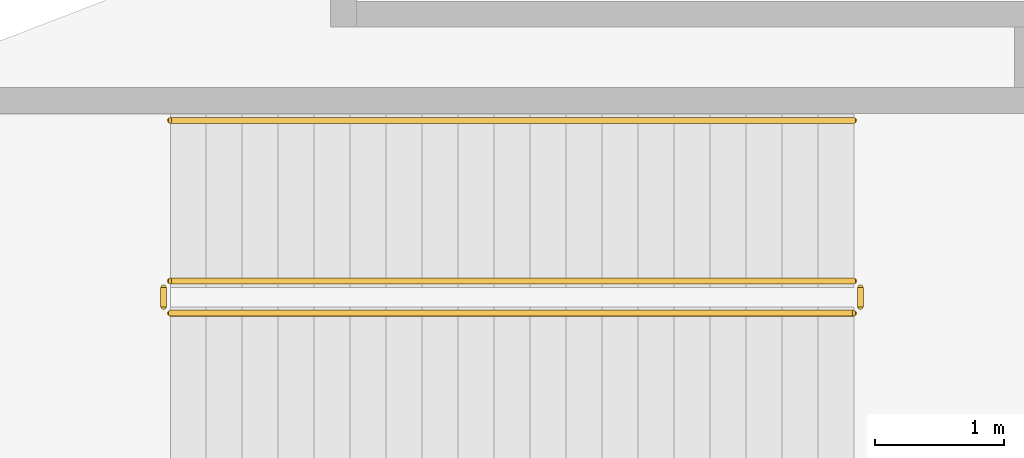
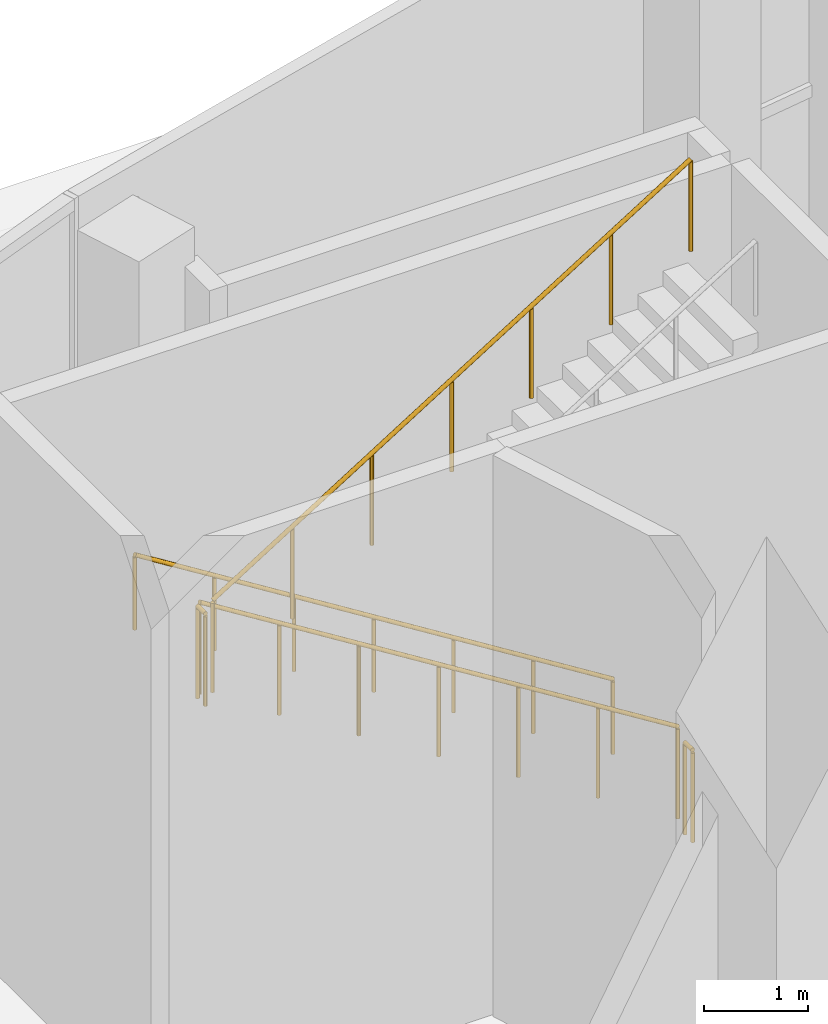
# One storey, part 54 of 60: 5 railings.
"""IFC4 building model written with IfcOpenShell, lengths in metres."""

from ifc_helpers import new_model, si_unit, direction, frame, origin, origin_2d, place, context, subcontext, project, spatial, circle, extrude, material, type_object, element, save


model = new_model("IFC4")

# Units and contexts
model_context = context("Model", 3, precision=1e-05, world=origin(), true_north=direction((0.0, 1.0)))
body_context = subcontext(model_context, "Body", "Model", "MODEL_VIEW")
ifc_project = project(units=[si_unit("LENGTHUNIT", "METRE"), si_unit("AREAUNIT", "SQUARE_METRE"), si_unit("VOLUMEUNIT", "CUBIC_METRE"), si_unit("PLANEANGLEUNIT", "RADIAN"), si_unit("MASSUNIT", "GRAM", prefix="KILO")], contexts=[model_context])

# Site, building, storey
site_placement = place(None, origin())
site = spatial("IfcSite", under=ifc_project, at=site_placement, CompositionType="ELEMENT")
building_placement = place(site_placement, origin())
building = spatial("IfcBuilding", under=site, at=building_placement, Name="Stone Belt Terrace Tower", CompositionType="ELEMENT")
storey_placement = place(building_placement, origin())
storey = spatial("IfcBuildingStorey", under=building, at=storey_placement, Name="L00", CompositionType="ELEMENT", Elevation=0.0)

# Railings
ifc_material_1 = material(Name="Steel balustrade", Category="steel")
railing_type_1 = type_object("IfcRailingType", Name="Podium stair guard", PredefinedType="GUARDRAIL", material=ifc_material_1)
railing_1_placement = place(storey_placement, frame((-18.340087890625, 67.375, 0.175048828125)))
element("IfcRailing", 1, at=railing_1_placement, inside=storey, type_object=railing_type_1, Name="L00 PS7 stair guard 1", PredefinedType="GUARDRAIL", context=body_context, shape_type="SweptSolid", body=[
    extrude(circle(Radius=0.02392578125, at=origin_2d()), frame((0.0, 0.0, 1.076171875), z_axis=(-0.847993931318, 0.0, 0.530005936238), x_axis=(0.0, -1.0, 0.0)), (0.0, 0.0, 1.0), 6.2734375),
    extrude(circle(Radius=0.02099609375, at=origin_2d()), origin(), (0.0, 0.0, 1.0), 1.052001953125),
    extrude(circle(Radius=0.02099609375, at=origin_2d()), frame((-0.88671875, 0.0, 0.55419921875)), (0.0, 0.0, 1.0), 1.052001953125),
    extrude(circle(Radius=0.02099609375, at=origin_2d()), frame((-1.773193359375, 0.0, 1.1083984375)), (0.0, 0.0, 1.0), 1.052001953125),
    extrude(circle(Radius=0.02099609375, at=origin_2d()), frame((-2.659912109375, 0.0, 1.66259765625)), (0.0, 0.0, 1.0), 1.052001953125),
    extrude(circle(Radius=0.02099609375, at=origin_2d()), frame((-3.546630859375, 0.0, 2.216552734375)), (0.0, 0.0, 1.0), 1.052001953125),
    extrude(circle(Radius=0.02099609375, at=origin_2d()), frame((-4.43310546875, 0.0, 2.770751953125)), (0.0, 0.0, 1.0), 1.052001953125),
    extrude(circle(Radius=0.02099609375, at=origin_2d()), frame((-5.31982421875, 0.0, 3.324951171875)), (0.0, 0.0, 1.0), 1.052001953125),
])
railing_2_placement = place(storey_placement, frame((-23.7099609375, 67.324951171875, 3.5)))
element("IfcRailing", 2, at=railing_2_placement, inside=storey, type_object=railing_type_1, Name="L00 PS7 stair guard 2", PredefinedType="GUARDRAIL", context=body_context, shape_type="SweptSolid", body=[
    extrude(circle(Radius=0.02392578125, at=origin_2d()), frame((0.0, 0.0, 1.076171875), z_axis=(0.0, -1.0, 0.0), x_axis=(1.0, 0.0, 0.0)), (0.0, 0.0, 1.0), 0.14990234375),
    extrude(circle(Radius=0.02099609375, at=origin_2d()), origin(), (0.0, 0.0, 1.0), 1.052001953125),
    extrude(circle(Radius=0.02099609375, at=origin_2d()), frame((0.0, -0.14990234375, 0.0)), (0.0, 0.0, 1.0), 1.052001953125),
])
railing_3_placement = place(storey_placement, frame((-23.659912109375, 67.125, 3.675048828125)))
element("IfcRailing", 3, at=railing_3_placement, inside=storey, type_object=railing_type_1, Name="L00 PS7 stair guard 3", PredefinedType="GUARDRAIL", context=body_context, shape_type="SweptSolid", body=[
    extrude(circle(Radius=0.02392578125, at=origin_2d()), frame((0.0, 0.0, 1.076171875), z_axis=(0.847993931318, 0.0, 0.530005936238), x_axis=(0.0, 1.0, 0.0)), (0.0, 0.0, 1.0), 6.2734375),
    extrude(circle(Radius=0.02099609375, at=origin_2d()), origin(), (0.0, 0.0, 1.0), 1.052001953125),
    extrude(circle(Radius=0.02099609375, at=origin_2d()), frame((0.88671875, 0.0, 0.55419921875)), (0.0, 0.0, 1.0), 1.052001953125),
    extrude(circle(Radius=0.02099609375, at=origin_2d()), frame((1.773193359375, 0.0, 1.1083984375)), (0.0, 0.0, 1.0), 1.052001953125),
    extrude(circle(Radius=0.02099609375, at=origin_2d()), frame((2.659912109375, 0.0, 1.66259765625)), (0.0, 0.0, 1.0), 1.052001953125),
    extrude(circle(Radius=0.02099609375, at=origin_2d()), frame((3.546630859375, 0.0, 2.216552734375)), (0.0, 0.0, 1.0), 1.052001953125),
    extrude(circle(Radius=0.02099609375, at=origin_2d()), frame((4.43310546875, 0.0, 2.770751953125)), (0.0, 0.0, 1.0), 1.052001953125),
    extrude(circle(Radius=0.02099609375, at=origin_2d()), frame((5.31982421875, 0.0, 3.324951171875)), (0.0, 0.0, 1.0), 1.052001953125),
])
railing_4_placement = place(storey_placement, frame((-18.2900390625, 67.324951171875, 0.0)))
element("IfcRailing", 4, at=railing_4_placement, inside=storey, type_object=railing_type_1, Name="L00 PS7 stair guard 4", PredefinedType="GUARDRAIL", context=body_context, shape_type="SweptSolid", body=[
    extrude(circle(Radius=0.02392578125, at=origin_2d()), frame((0.0, 0.0, 1.076171875), z_axis=(0.0, -1.0, 0.0), x_axis=(1.0, 0.0, 0.0)), (0.0, 0.0, 1.0), 0.14990234375),
    extrude(circle(Radius=0.02099609375, at=origin_2d()), origin(), (0.0, 0.0, 1.0), 1.052001953125),
    extrude(circle(Radius=0.02099609375, at=origin_2d()), frame((0.0, -0.14990234375, 0.0)), (0.0, 0.0, 1.0), 1.052001953125),
])
ifc_material_2 = material(Name="Stainless steel handrail", Category="steel")
railing_type_2 = type_object("IfcRailingType", Name="Podium stair handrail", PredefinedType="HANDRAIL", material=ifc_material_2)
railing_5_placement = place(storey_placement, frame((-18.340087890625, 68.625, 0.175048828125)))
element("IfcRailing", 5, at=railing_5_placement, inside=storey, type_object=railing_type_2, Name="L00 PS7 stair handrail 1", PredefinedType="HANDRAIL", context=body_context, shape_type="SweptSolid", body=[
    extrude(circle(Radius=0.02392578125, at=origin_2d()), frame((0.0, 0.0, 0.8759765625), z_axis=(-0.847993931318, 0.0, 0.530005936238), x_axis=(0.0, -1.0, 0.0)), (0.0, 0.0, 1.0), 6.2734375),
    extrude(circle(Radius=0.02099609375, at=origin_2d()), origin(), (0.0, 0.0, 1.0), 0.851806640625),
    extrude(circle(Radius=0.02099609375, at=origin_2d()), frame((-0.88671875, 0.0, 0.55419921875)), (0.0, 0.0, 1.0), 0.851806640625),
    extrude(circle(Radius=0.02099609375, at=origin_2d()), frame((-1.773193359375, 0.0, 1.1083984375)), (0.0, 0.0, 1.0), 0.851806640625),
    extrude(circle(Radius=0.02099609375, at=origin_2d()), frame((-2.659912109375, 0.0, 1.66259765625)), (0.0, 0.0, 1.0), 0.851806640625),
    extrude(circle(Radius=0.02099609375, at=origin_2d()), frame((-3.546630859375, 0.0, 2.216552734375)), (0.0, 0.0, 1.0), 0.851806640625),
    extrude(circle(Radius=0.02099609375, at=origin_2d()), frame((-4.43310546875, 0.0, 2.770751953125)), (0.0, 0.0, 1.0), 0.851806640625),
    extrude(circle(Radius=0.02099609375, at=origin_2d()), frame((-5.31982421875, 0.0, 3.324951171875)), (0.0, 0.0, 1.0), 0.851806640625),
])

save(model, "model.ifc")
